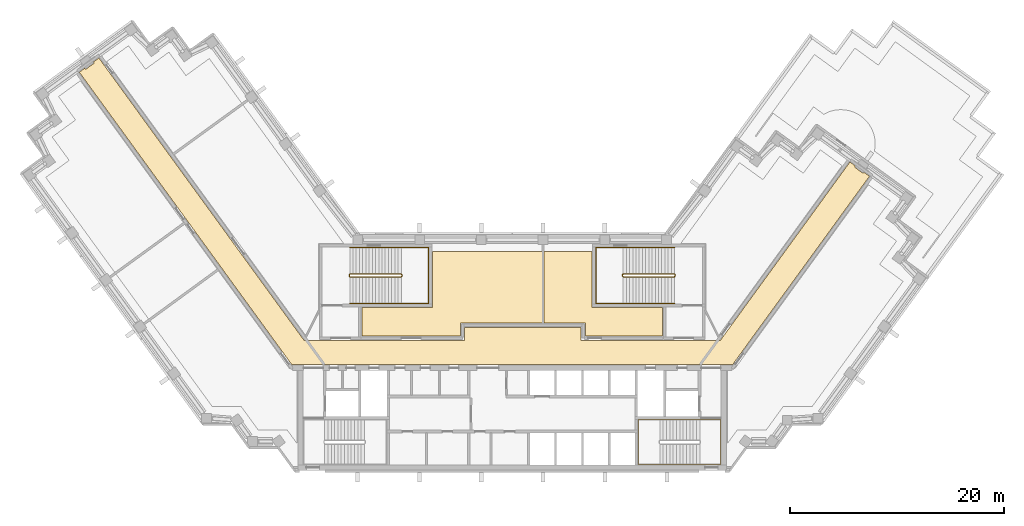
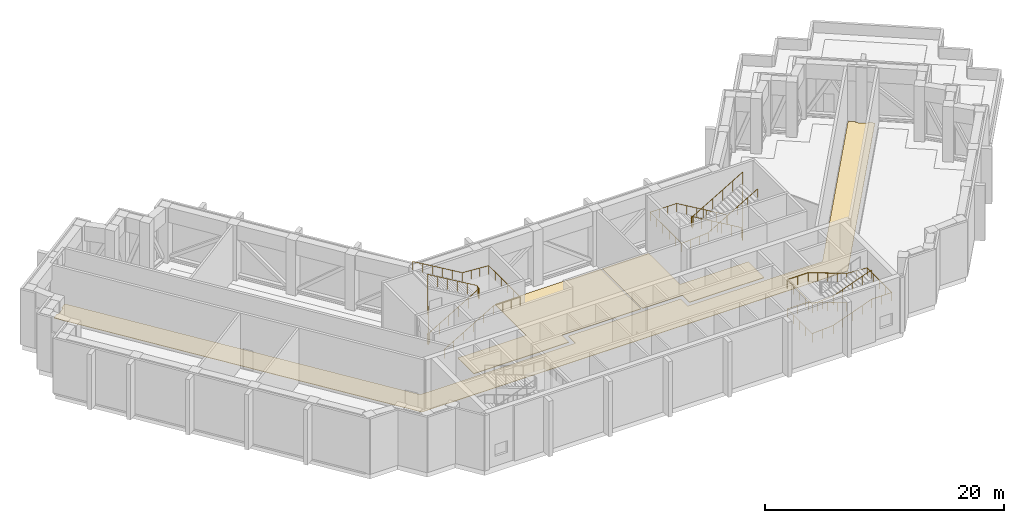
# One storey, part 15 of 16: 5 railings, 3 coverings.
"""IFC4 building model written with IfcOpenShell, lengths in metres."""

from ifc_helpers import new_model, si_unit, direction, frame, origin, origin_2d, place, context, subcontext, project, spatial, polyline, circle, outline, extrude, material, layer, layer_set, type_object, element, save


model = new_model("IFC4")

# Units and contexts
model_context = context("Model", 3, precision=1e-05, world=origin(), true_north=direction((0.0, 1.0)))
body_context = subcontext(model_context, "Body", "Model", "MODEL_VIEW")
ifc_project = project(units=[si_unit("LENGTHUNIT", "METRE"), si_unit("AREAUNIT", "SQUARE_METRE"), si_unit("VOLUMEUNIT", "CUBIC_METRE"), si_unit("PLANEANGLEUNIT", "RADIAN"), si_unit("MASSUNIT", "GRAM", prefix="KILO")], contexts=[model_context])

# Site, building, storey
site_placement = place(None, origin())
site = spatial("IfcSite", under=ifc_project, at=site_placement, CompositionType="ELEMENT")
building_placement = place(site_placement, origin())
building = spatial("IfcBuilding", under=site, at=building_placement, Name="Quipu Civic Tower", CompositionType="ELEMENT")
storey_placement = place(building_placement, frame((0.0, 0.0, 188.0)))
storey = spatial("IfcBuildingStorey", under=building, at=storey_placement, Name="L44", CompositionType="ELEMENT", Elevation=188.0)

# Coverings
ifc_material_1 = material(Name="Sealed cement screed")
ifc_layer_1 = layer(ifc_material_1, 0.050048828125)
ifc_layer_set_1 = layer_set([ifc_layer_1], Name="Sealed cement screed")
covering_type_1 = type_object("IfcCoveringType", Name="Sealed screed floor finish 50", PredefinedType="FLOORING", material=ifc_layer_set_1)
covering_1_placement = place(storey_placement, origin())
element("IfcCovering", 1, at=covering_1_placement, inside=storey, type_object=covering_type_1, Name="Sealed screed floor finish 50", PredefinedType="FLOORING", context=body_context, shape_type="SweptSolid", body=[
    extrude(outline(polyline([(-14.030029296875, 4.179931640625), (-7.430908203125, 4.179931640625), (-7.429931640625, 9.429931640625), (2.80908203125, 9.429931640625), (2.80908203125, 2.719970703125), (-4.818115234375, 2.719970703125), (-4.820068359375, 1.52001953125), (-14.030029296875, 1.52001953125), (-14.030029296875, 4.179931640625)])), origin(), (0.0, 0.0, 1.0), 0.050048828125),
])
covering_2_placement = place(storey_placement, origin())
element("IfcCovering", 2, at=covering_2_placement, inside=storey, type_object=covering_type_1, Name="Sealed screed floor finish 50", PredefinedType="FLOORING", context=body_context, shape_type="SweptSolid", body=[
    extrude(outline(polyline([(2.948974609375, 2.719970703125), (2.948974609375, 9.429931640625), (7.429931640625, 9.429931640625), (7.430908203125, 4.179931640625), (14.030029296875, 4.179931640625), (14.030029296875, 1.52001953125), (6.820068359375, 1.52001953125), (6.819091796875, 2.719970703125), (2.948974609375, 2.719970703125)])), origin(), (0.0, 0.0, 1.0), 0.050048828125),
])

# Railings
ifc_material_2 = material(Name="Stainless steel", Category="steel")
railing_type_1 = type_object("IfcRailingType", Name="Stair guard 1100", PredefinedType="GUARDRAIL", material=ifc_material_2)
railing_1_placement = place(storey_placement, frame((-15.14990234375, 7.050048828125, 0.176513671875)))
element("IfcRailing", 3, at=railing_1_placement, inside=storey, type_object=railing_type_1, Name="Stair 3 guard", PredefinedType="GUARDRAIL", context=body_context, shape_type="SweptSolid", body=[
    extrude(circle(Radius=0.02392578125, at=origin_2d()), frame((0.0, 0.0, 1.076171875), z_axis=(0.86192857992, 0.0, 0.507029706346), x_axis=(0.0, 1.0, 0.0)), (0.0, 0.0, 1.0), 5.568603515625),
    extrude(circle(Radius=0.02392578125, at=origin_2d()), frame((4.7998046875, 0.0, 3.8994140625), z_axis=(0.707106781187, 0.707106781187, 0.0), x_axis=(-0.707106781187, 0.707106781187, 0.0)), (0.0, 0.0, 1.0), 0.07080078125),
    extrude(circle(Radius=0.02392578125, at=origin_2d()), frame((4.849853515625, 0.050048828125, 3.8994140625), z_axis=(0.0, 1.0, 0.0), x_axis=(-1.0, 0.0, 0.0)), (0.0, 0.0, 1.0), 0.14990234375),
    extrude(circle(Radius=0.02392578125, at=origin_2d()), frame((4.849853515625, 0.199951171875, 3.8994140625), z_axis=(-0.263171338983, 0.263171338983, 0.928160380902), x_axis=(-0.707106781187, -0.707106781187, 0.0)), (0.0, 0.0, 1.0), 0.190185546875),
    extrude(circle(Radius=0.02392578125, at=origin_2d()), frame((4.7998046875, 0.25, 4.076171875), z_axis=(-0.86192857992, 0.0, 0.507029706346), x_axis=(0.0, -1.0, 0.0)), (0.0, 0.0, 1.0), 5.568603515625),
    extrude(circle(Radius=0.02392578125, at=origin_2d()), frame((0.0, 0.25, 6.8994140625), z_axis=(-0.008336553618, -0.033305548356, -0.999410447375), x_axis=(0.970072785993, -0.242814311512, 0.0)), (0.0, 0.0, 1.0), 6.00341796875),
    extrude(circle(Radius=0.02392578125, at=origin_2d()), frame((-0.050048828125, 0.050048828125, 0.8994140625), z_axis=(0.0, 1.0, 0.0), x_axis=(-1.0, 0.0, 0.0)), (0.0, 0.0, 1.0), 0.14990234375),
    extrude(circle(Radius=0.02099609375, at=origin_2d()), origin(), (0.0, 0.0, 1.0), 1.052001953125),
    extrude(circle(Radius=0.02099609375, at=origin_2d()), frame((0.9599609375, 0.0, 0.564697265625)), (0.0, 0.0, 1.0), 1.052001953125),
    extrude(circle(Radius=0.02099609375, at=origin_2d()), frame((1.919921875, 0.0, 1.12939453125)), (0.0, 0.0, 1.0), 1.052001953125),
    extrude(circle(Radius=0.02099609375, at=origin_2d()), frame((2.8798828125, 0.0, 1.694091796875)), (0.0, 0.0, 1.0), 1.052001953125),
    extrude(circle(Radius=0.02099609375, at=origin_2d()), frame((3.83984375, 0.0, 2.2587890625)), (0.0, 0.0, 1.0), 1.052001953125),
    extrude(circle(Radius=0.02099609375, at=origin_2d()), frame((4.7998046875, 0.0, 2.823486328125)), (0.0, 0.0, 1.0), 1.052001953125),
    extrude(circle(Radius=0.02099609375, at=origin_2d()), frame((4.849853515625, 0.050048828125, 2.823486328125)), (0.0, 0.0, 1.0), 1.052001953125),
    extrude(circle(Radius=0.02099609375, at=origin_2d()), frame((4.849853515625, 0.199951171875, 2.823486328125)), (0.0, 0.0, 1.0), 1.052001953125),
    extrude(circle(Radius=0.02099609375, at=origin_2d()), frame((4.7998046875, 0.25, 3.0)), (0.0, 0.0, 1.0), 1.052001953125),
    extrude(circle(Radius=0.02099609375, at=origin_2d()), frame((3.83984375, 0.25, 3.564697265625)), (0.0, 0.0, 1.0), 1.052001953125),
    extrude(circle(Radius=0.02099609375, at=origin_2d()), frame((2.8798828125, 0.25, 4.12939453125)), (0.0, 0.0, 1.0), 1.052001953125),
    extrude(circle(Radius=0.02099609375, at=origin_2d()), frame((1.919921875, 0.25, 4.694091796875)), (0.0, 0.0, 1.0), 1.052001953125),
    extrude(circle(Radius=0.02099609375, at=origin_2d()), frame((0.9599609375, 0.25, 5.2587890625)), (0.0, 0.0, 1.0), 1.052001953125),
    extrude(circle(Radius=0.02099609375, at=origin_2d()), frame((0.0, 0.25, 5.823486328125)), (0.0, 0.0, 1.0), 1.052001953125),
    extrude(circle(Radius=0.02099609375, at=origin_2d()), frame((-0.00830078125, 0.216796875, 4.823486328125)), (0.0, 0.0, 1.0), 1.052001953125),
    extrude(circle(Radius=0.02099609375, at=origin_2d()), frame((-0.0166015625, 0.183349609375, 3.823486328125)), (0.0, 0.0, 1.0), 1.052001953125),
    extrude(circle(Radius=0.02099609375, at=origin_2d()), frame((-0.02490234375, 0.14990234375, 2.823486328125)), (0.0, 0.0, 1.0), 1.052001953125),
    extrude(circle(Radius=0.02099609375, at=origin_2d()), frame((-0.033447265625, 0.11669921875, 1.823486328125)), (0.0, 0.0, 1.0), 1.052001953125),
    extrude(circle(Radius=0.02099609375, at=origin_2d()), frame((-0.041748046875, 0.08349609375, 0.823486328125)), (0.0, 0.0, 1.0), 1.052001953125),
    extrude(circle(Radius=0.02099609375, at=origin_2d()), frame((-0.050048828125, 0.050048828125, -0.176513671875)), (0.0, 0.0, 1.0), 1.052001953125),
    extrude(circle(Radius=0.02099609375, at=origin_2d()), frame((-0.050048828125, 0.199951171875, -0.176513671875)), (0.0, 0.0, 1.0), 1.052001953125),
])
railing_2_placement = place(storey_placement, frame((15.14990234375, 7.300048828125, 0.176513671875)))
element("IfcRailing", 4, at=railing_2_placement, inside=storey, type_object=railing_type_1, Name="Stair 4 guard", PredefinedType="GUARDRAIL", context=body_context, shape_type="SweptSolid", body=[
    extrude(circle(Radius=0.02392578125, at=origin_2d()), frame((0.0, 0.0, 1.076171875), z_axis=(-0.86192857992, 0.0, 0.507029706346), x_axis=(0.0, -1.0, 0.0)), (0.0, 0.0, 1.0), 5.568603515625),
    extrude(circle(Radius=0.02392578125, at=origin_2d()), frame((-4.7998046875, 0.0, 3.8994140625), z_axis=(-0.707106781187, -0.707106781187, 0.0), x_axis=(0.707106781187, -0.707106781187, 0.0)), (0.0, 0.0, 1.0), 0.07080078125),
    extrude(circle(Radius=0.02392578125, at=origin_2d()), frame((-4.849853515625, -0.050048828125, 3.8994140625), z_axis=(0.0, -1.0, 0.0), x_axis=(1.0, 0.0, 0.0)), (0.0, 0.0, 1.0), 0.14990234375),
    extrude(circle(Radius=0.02392578125, at=origin_2d()), frame((-4.849853515625, -0.199951171875, 3.8994140625), z_axis=(0.263171338983, -0.263171338983, 0.928160380902), x_axis=(0.707106781187, 0.707106781187, 0.0)), (0.0, 0.0, 1.0), 0.190185546875),
    extrude(circle(Radius=0.02392578125, at=origin_2d()), frame((-4.7998046875, -0.25, 4.076171875), z_axis=(0.86192857992, 0.0, 0.507029706346), x_axis=(0.0, 1.0, 0.0)), (0.0, 0.0, 1.0), 5.568603515625),
    extrude(circle(Radius=0.02392578125, at=origin_2d()), frame((0.0, -0.25, 6.8994140625), z_axis=(0.008336553618, 0.033305548356, -0.999410447375), x_axis=(-0.970072785993, 0.242814311512, 0.0)), (0.0, 0.0, 1.0), 6.00341796875),
    extrude(circle(Radius=0.02392578125, at=origin_2d()), frame((0.050048828125, -0.050048828125, 0.8994140625), z_axis=(0.0, -1.0, 0.0), x_axis=(1.0, 0.0, 0.0)), (0.0, 0.0, 1.0), 0.14990234375),
    extrude(circle(Radius=0.02099609375, at=origin_2d()), origin(), (0.0, 0.0, 1.0), 1.052001953125),
    extrude(circle(Radius=0.02099609375, at=origin_2d()), frame((-0.9599609375, 0.0, 0.564697265625)), (0.0, 0.0, 1.0), 1.052001953125),
    extrude(circle(Radius=0.02099609375, at=origin_2d()), frame((-1.919921875, 0.0, 1.12939453125)), (0.0, 0.0, 1.0), 1.052001953125),
    extrude(circle(Radius=0.02099609375, at=origin_2d()), frame((-2.8798828125, 0.0, 1.694091796875)), (0.0, 0.0, 1.0), 1.052001953125),
    extrude(circle(Radius=0.02099609375, at=origin_2d()), frame((-3.83984375, 0.0, 2.2587890625)), (0.0, 0.0, 1.0), 1.052001953125),
    extrude(circle(Radius=0.02099609375, at=origin_2d()), frame((-4.7998046875, 0.0, 2.823486328125)), (0.0, 0.0, 1.0), 1.052001953125),
    extrude(circle(Radius=0.02099609375, at=origin_2d()), frame((-4.849853515625, -0.050048828125, 2.823486328125)), (0.0, 0.0, 1.0), 1.052001953125),
    extrude(circle(Radius=0.02099609375, at=origin_2d()), frame((-4.849853515625, -0.199951171875, 2.823486328125)), (0.0, 0.0, 1.0), 1.052001953125),
    extrude(circle(Radius=0.02099609375, at=origin_2d()), frame((-4.7998046875, -0.25, 3.0)), (0.0, 0.0, 1.0), 1.052001953125),
    extrude(circle(Radius=0.02099609375, at=origin_2d()), frame((-3.83984375, -0.25, 3.564697265625)), (0.0, 0.0, 1.0), 1.052001953125),
    extrude(circle(Radius=0.02099609375, at=origin_2d()), frame((-2.8798828125, -0.25, 4.12939453125)), (0.0, 0.0, 1.0), 1.052001953125),
    extrude(circle(Radius=0.02099609375, at=origin_2d()), frame((-1.919921875, -0.25, 4.694091796875)), (0.0, 0.0, 1.0), 1.052001953125),
    extrude(circle(Radius=0.02099609375, at=origin_2d()), frame((-0.9599609375, -0.25, 5.2587890625)), (0.0, 0.0, 1.0), 1.052001953125),
    extrude(circle(Radius=0.02099609375, at=origin_2d()), frame((0.0, -0.25, 5.823486328125)), (0.0, 0.0, 1.0), 1.052001953125),
    extrude(circle(Radius=0.02099609375, at=origin_2d()), frame((0.00830078125, -0.216796875, 4.823486328125)), (0.0, 0.0, 1.0), 1.052001953125),
    extrude(circle(Radius=0.02099609375, at=origin_2d()), frame((0.0166015625, -0.183349609375, 3.823486328125)), (0.0, 0.0, 1.0), 1.052001953125),
    extrude(circle(Radius=0.02099609375, at=origin_2d()), frame((0.02490234375, -0.14990234375, 2.823486328125)), (0.0, 0.0, 1.0), 1.052001953125),
    extrude(circle(Radius=0.02099609375, at=origin_2d()), frame((0.033447265625, -0.11669921875, 1.823486328125)), (0.0, 0.0, 1.0), 1.052001953125),
    extrude(circle(Radius=0.02099609375, at=origin_2d()), frame((0.041748046875, -0.08349609375, 0.823486328125)), (0.0, 0.0, 1.0), 1.052001953125),
    extrude(circle(Radius=0.02099609375, at=origin_2d()), frame((0.050048828125, -0.050048828125, -0.176513671875)), (0.0, 0.0, 1.0), 1.052001953125),
    extrude(circle(Radius=0.02099609375, at=origin_2d()), frame((0.050048828125, -0.199951171875, -0.176513671875)), (0.0, 0.0, 1.0), 1.052001953125),
])
ifc_material_3 = material(Name="Stainless steel", Category="steel")
railing_type_2 = type_object("IfcRailingType", Name="Stair handrail", PredefinedType="HANDRAIL", material=ifc_material_3)
railing_3_placement = place(storey_placement, frame((17.5, -6.300048828125, 0.115478515625)))
element("IfcRailing", 5, at=railing_3_placement, inside=storey, type_object=railing_type_2, Name="Stair 2 handrail", PredefinedType="HANDRAIL", context=body_context, shape_type="SweptSolid", body=[
    extrude(circle(Radius=0.02392578125, at=origin_2d()), frame((0.0, 0.0, 0.8759765625), z_axis=(-0.937193329374, 0.0, 0.348810354458), x_axis=(0.0, -1.0, 0.0)), (0.0, 0.0, 1.0), 3.96923828125),
    extrude(circle(Radius=0.02392578125, at=origin_2d()), frame((-3.719970703125, 0.0, 2.26025390625), z_axis=(-1.0, 0.0, 0.0), x_axis=(0.0, -1.0, 0.0)), (0.0, 0.0, 1.0), 2.030029296875),
    extrude(circle(Radius=0.02392578125, at=origin_2d()), frame((-5.75, 0.0, 2.26025390625), z_axis=(0.0, -1.0, 0.0), x_axis=(1.0, 0.0, 0.0)), (0.0, 0.0, 1.0), 4.14990234375),
    extrude(circle(Radius=0.02392578125, at=origin_2d()), frame((-5.75, -4.14990234375, 2.26025390625), z_axis=(0.99838595614, 0.0, 0.056793332201), x_axis=(0.0, 1.0, 0.0)), (0.0, 0.0, 1.0), 2.033203125),
    extrude(circle(Radius=0.02392578125, at=origin_2d()), frame((-3.719970703125, -4.14990234375, 2.3759765625), z_axis=(0.937193329374, 0.0, 0.348810354458), x_axis=(0.0, 1.0, 0.0)), (0.0, 0.0, 1.0), 3.96923828125),
    extrude(circle(Radius=0.02392578125, at=origin_2d()), frame((0.0, -4.14990234375, 3.76025390625), z_axis=(1.0, 0.0, 0.0), x_axis=(0.0, 1.0, 0.0)), (0.0, 0.0, 1.0), 1.949951171875),
    extrude(circle(Radius=0.02392578125, at=origin_2d()), frame((1.949951171875, -4.14990234375, 3.76025390625), z_axis=(0.0, 1.0, 0.0), x_axis=(-1.0, 0.0, 0.0)), (0.0, 0.0, 1.0), 4.14990234375),
    extrude(circle(Radius=0.02392578125, at=origin_2d()), frame((1.949951171875, 0.0, 3.76025390625), z_axis=(-0.998251021802, 0.0, 0.059117657858), x_axis=(0.0, -1.0, 0.0)), (0.0, 0.0, 1.0), 1.953369140625),
    extrude(circle(Radius=0.02392578125, at=origin_2d()), frame((0.0, 0.0, 3.8759765625), z_axis=(-0.937193329374, 0.0, 0.348810354458), x_axis=(0.0, -1.0, 0.0)), (0.0, 0.0, 1.0), 3.96923828125),
    extrude(circle(Radius=0.02392578125, at=origin_2d()), frame((-3.719970703125, 0.0, 5.26025390625), z_axis=(-1.0, 0.0, 0.0), x_axis=(0.0, -1.0, 0.0)), (0.0, 0.0, 1.0), 2.030029296875),
    extrude(circle(Radius=0.02392578125, at=origin_2d()), frame((-5.75, 0.0, 5.26025390625), z_axis=(0.0, -1.0, 0.0), x_axis=(1.0, 0.0, 0.0)), (0.0, 0.0, 1.0), 4.14990234375),
    extrude(circle(Radius=0.02392578125, at=origin_2d()), frame((-5.75, -4.14990234375, 5.26025390625), z_axis=(0.99838595614, 0.0, 0.056793332201), x_axis=(0.0, 1.0, 0.0)), (0.0, 0.0, 1.0), 2.033203125),
    extrude(circle(Radius=0.02392578125, at=origin_2d()), frame((-3.719970703125, -4.14990234375, 5.3759765625), z_axis=(0.937193329374, 0.0, 0.348810354458), x_axis=(0.0, 1.0, 0.0)), (0.0, 0.0, 1.0), 3.96923828125),
    extrude(circle(Radius=0.02099609375, at=origin_2d()), origin(), (0.0, 0.0, 1.0), 0.851806640625),
    extrude(circle(Radius=0.02099609375, at=origin_2d()), frame((-0.929931640625, 0.0, 0.34619140625)), (0.0, 0.0, 1.0), 0.851806640625),
    extrude(circle(Radius=0.02099609375, at=origin_2d()), frame((-1.85986328125, 0.0, 0.6923828125)), (0.0, 0.0, 1.0), 0.851806640625),
    extrude(circle(Radius=0.02099609375, at=origin_2d()), frame((-2.7900390625, 0.0, 1.038330078125)), (0.0, 0.0, 1.0), 0.851806640625),
    extrude(circle(Radius=0.02099609375, at=origin_2d()), frame((-3.719970703125, 0.0, 1.384521484375)), (0.0, 0.0, 1.0), 0.851806640625),
    extrude(circle(Radius=0.02099609375, at=origin_2d()), frame((-4.73486328125, 0.0, 1.384521484375)), (0.0, 0.0, 1.0), 0.851806640625),
    extrude(circle(Radius=0.02099609375, at=origin_2d()), frame((-5.75, 0.0, 1.384521484375)), (0.0, 0.0, 1.0), 0.851806640625),
    extrude(circle(Radius=0.02099609375, at=origin_2d()), frame((-5.75, -1.03759765625, 1.384521484375)), (0.0, 0.0, 1.0), 0.851806640625),
    extrude(circle(Radius=0.02099609375, at=origin_2d()), frame((-5.75, -2.074951171875, 1.384521484375)), (0.0, 0.0, 1.0), 0.851806640625),
    extrude(circle(Radius=0.02099609375, at=origin_2d()), frame((-5.75, -3.1123046875, 1.384521484375)), (0.0, 0.0, 1.0), 0.851806640625),
    extrude(circle(Radius=0.02099609375, at=origin_2d()), frame((-5.75, -4.14990234375, 1.384521484375)), (0.0, 0.0, 1.0), 0.851806640625),
    extrude(circle(Radius=0.02099609375, at=origin_2d()), frame((-4.73486328125, -4.14990234375, 1.4423828125)), (0.0, 0.0, 1.0), 0.851806640625),
    extrude(circle(Radius=0.02099609375, at=origin_2d()), frame((-3.719970703125, -4.14990234375, 1.5)), (0.0, 0.0, 1.0), 0.851806640625),
    extrude(circle(Radius=0.02099609375, at=origin_2d()), frame((-2.7900390625, -4.14990234375, 1.84619140625)), (0.0, 0.0, 1.0), 0.851806640625),
    extrude(circle(Radius=0.02099609375, at=origin_2d()), frame((-1.85986328125, -4.14990234375, 2.1923828125)), (0.0, 0.0, 1.0), 0.851806640625),
    extrude(circle(Radius=0.02099609375, at=origin_2d()), frame((-0.929931640625, -4.14990234375, 2.538330078125)), (0.0, 0.0, 1.0), 0.851806640625),
    extrude(circle(Radius=0.02099609375, at=origin_2d()), frame((0.0, -4.14990234375, 2.884521484375)), (0.0, 0.0, 1.0), 0.851806640625),
    extrude(circle(Radius=0.02099609375, at=origin_2d()), frame((0.97509765625, -4.14990234375, 2.884521484375)), (0.0, 0.0, 1.0), 0.851806640625),
    extrude(circle(Radius=0.02099609375, at=origin_2d()), frame((1.949951171875, -4.14990234375, 2.884521484375)), (0.0, 0.0, 1.0), 0.851806640625),
    extrude(circle(Radius=0.02099609375, at=origin_2d()), frame((1.949951171875, -3.1123046875, 2.884521484375)), (0.0, 0.0, 1.0), 0.851806640625),
    extrude(circle(Radius=0.02099609375, at=origin_2d()), frame((1.949951171875, -2.074951171875, 2.884521484375)), (0.0, 0.0, 1.0), 0.851806640625),
    extrude(circle(Radius=0.02099609375, at=origin_2d()), frame((1.949951171875, -1.03759765625, 2.884521484375)), (0.0, 0.0, 1.0), 0.851806640625),
    extrude(circle(Radius=0.02099609375, at=origin_2d()), frame((1.949951171875, 0.0, 2.884521484375)), (0.0, 0.0, 1.0), 0.851806640625),
    extrude(circle(Radius=0.02099609375, at=origin_2d()), frame((0.97509765625, 0.0, 2.9423828125)), (0.0, 0.0, 1.0), 0.851806640625),
    extrude(circle(Radius=0.02099609375, at=origin_2d()), frame((0.0, 0.0, 3.0)), (0.0, 0.0, 1.0), 0.851806640625),
    extrude(circle(Radius=0.02099609375, at=origin_2d()), frame((-0.929931640625, 0.0, 3.34619140625)), (0.0, 0.0, 1.0), 0.851806640625),
    extrude(circle(Radius=0.02099609375, at=origin_2d()), frame((-1.85986328125, 0.0, 3.6923828125)), (0.0, 0.0, 1.0), 0.851806640625),
    extrude(circle(Radius=0.02099609375, at=origin_2d()), frame((-2.7900390625, 0.0, 4.038330078125)), (0.0, 0.0, 1.0), 0.851806640625),
    extrude(circle(Radius=0.02099609375, at=origin_2d()), frame((-3.719970703125, 0.0, 4.384521484375)), (0.0, 0.0, 1.0), 0.851806640625),
    extrude(circle(Radius=0.02099609375, at=origin_2d()), frame((-4.73486328125, 0.0, 4.384521484375)), (0.0, 0.0, 1.0), 0.851806640625),
    extrude(circle(Radius=0.02099609375, at=origin_2d()), frame((-5.75, 0.0, 4.384521484375)), (0.0, 0.0, 1.0), 0.851806640625),
    extrude(circle(Radius=0.02099609375, at=origin_2d()), frame((-5.75, -1.03759765625, 4.384521484375)), (0.0, 0.0, 1.0), 0.851806640625),
    extrude(circle(Radius=0.02099609375, at=origin_2d()), frame((-5.75, -2.074951171875, 4.384521484375)), (0.0, 0.0, 1.0), 0.851806640625),
    extrude(circle(Radius=0.02099609375, at=origin_2d()), frame((-5.75, -3.1123046875, 4.384521484375)), (0.0, 0.0, 1.0), 0.851806640625),
    extrude(circle(Radius=0.02099609375, at=origin_2d()), frame((-5.75, -4.14990234375, 4.384521484375)), (0.0, 0.0, 1.0), 0.851806640625),
    extrude(circle(Radius=0.02099609375, at=origin_2d()), frame((-4.73486328125, -4.14990234375, 4.4423828125)), (0.0, 0.0, 1.0), 0.851806640625),
    extrude(circle(Radius=0.02099609375, at=origin_2d()), frame((-3.719970703125, -4.14990234375, 4.5)), (0.0, 0.0, 1.0), 0.851806640625),
    extrude(circle(Radius=0.02099609375, at=origin_2d()), frame((-2.7900390625, -4.14990234375, 4.84619140625)), (0.0, 0.0, 1.0), 0.851806640625),
    extrude(circle(Radius=0.02099609375, at=origin_2d()), frame((-1.85986328125, -4.14990234375, 5.1923828125)), (0.0, 0.0, 1.0), 0.851806640625),
    extrude(circle(Radius=0.02099609375, at=origin_2d()), frame((-0.929931640625, -4.14990234375, 5.538330078125)), (0.0, 0.0, 1.0), 0.851806640625),
    extrude(circle(Radius=0.02099609375, at=origin_2d()), frame((0.0, -4.14990234375, 5.884521484375)), (0.0, 0.0, 1.0), 0.851806640625),
])
railing_4_placement = place(storey_placement, frame((-15.14990234375, 4.550048828125, 0.176513671875)))
element("IfcRailing", 6, at=railing_4_placement, inside=storey, type_object=railing_type_2, Name="Stair 3 handrail", PredefinedType="HANDRAIL", context=body_context, shape_type="SweptSolid", body=[
    extrude(circle(Radius=0.02392578125, at=origin_2d()), frame((0.0, 0.0, 0.8759765625), z_axis=(0.86192857992, 0.0, 0.507029706346), x_axis=(0.0, 1.0, 0.0)), (0.0, 0.0, 1.0), 5.568603515625),
    extrude(circle(Radius=0.02392578125, at=origin_2d()), frame((4.7998046875, 0.0, 3.69921875), z_axis=(1.0, 0.0, 0.0), x_axis=(0.0, 1.0, 0.0)), (0.0, 0.0, 1.0), 2.550048828125),
    extrude(circle(Radius=0.02392578125, at=origin_2d()), frame((7.349853515625, 0.0, 3.69921875), z_axis=(0.0, 1.0, 0.0), x_axis=(-1.0, 0.0, 0.0)), (0.0, 0.0, 1.0), 5.25),
    extrude(circle(Radius=0.02392578125, at=origin_2d()), frame((7.349853515625, 5.25, 3.69921875), z_axis=(-0.997612889748, 0.0, 0.069054487246), x_axis=(0.0, -1.0, 0.0)), (0.0, 0.0, 1.0), 2.55615234375),
    extrude(circle(Radius=0.02392578125, at=origin_2d()), frame((4.7998046875, 5.25, 3.8759765625), z_axis=(-0.86192857992, 0.0, 0.507029706346), x_axis=(0.0, -1.0, 0.0)), (0.0, 0.0, 1.0), 5.568603515625),
    extrude(circle(Radius=0.02099609375, at=origin_2d()), origin(), (0.0, 0.0, 1.0), 0.851806640625),
    extrude(circle(Radius=0.02099609375, at=origin_2d()), frame((0.9599609375, 0.0, 0.564697265625)), (0.0, 0.0, 1.0), 0.851806640625),
    extrude(circle(Radius=0.02099609375, at=origin_2d()), frame((1.919921875, 0.0, 1.12939453125)), (0.0, 0.0, 1.0), 0.851806640625),
    extrude(circle(Radius=0.02099609375, at=origin_2d()), frame((2.8798828125, 0.0, 1.694091796875)), (0.0, 0.0, 1.0), 0.851806640625),
    extrude(circle(Radius=0.02099609375, at=origin_2d()), frame((3.83984375, 0.0, 2.2587890625)), (0.0, 0.0, 1.0), 0.851806640625),
    extrude(circle(Radius=0.02099609375, at=origin_2d()), frame((4.7998046875, 0.0, 2.823486328125)), (0.0, 0.0, 1.0), 0.851806640625),
    extrude(circle(Radius=0.02099609375, at=origin_2d()), frame((5.64990234375, 0.0, 2.823486328125)), (0.0, 0.0, 1.0), 0.851806640625),
    extrude(circle(Radius=0.02099609375, at=origin_2d()), frame((6.499755859375, 0.0, 2.823486328125)), (0.0, 0.0, 1.0), 0.851806640625),
    extrude(circle(Radius=0.02099609375, at=origin_2d()), frame((7.349853515625, 0.0, 2.823486328125)), (0.0, 0.0, 1.0), 0.851806640625),
    extrude(circle(Radius=0.02099609375, at=origin_2d()), frame((7.349853515625, 1.050048828125, 2.823486328125)), (0.0, 0.0, 1.0), 0.851806640625),
    extrude(circle(Radius=0.02099609375, at=origin_2d()), frame((7.349853515625, 2.10009765625, 2.823486328125)), (0.0, 0.0, 1.0), 0.851806640625),
    extrude(circle(Radius=0.02099609375, at=origin_2d()), frame((7.349853515625, 3.14990234375, 2.823486328125)), (0.0, 0.0, 1.0), 0.851806640625),
    extrude(circle(Radius=0.02099609375, at=origin_2d()), frame((7.349853515625, 4.199951171875, 2.823486328125)), (0.0, 0.0, 1.0), 0.851806640625),
    extrude(circle(Radius=0.02099609375, at=origin_2d()), frame((7.349853515625, 5.25, 2.823486328125)), (0.0, 0.0, 1.0), 0.851806640625),
    extrude(circle(Radius=0.02099609375, at=origin_2d()), frame((6.499755859375, 5.25, 2.88232421875)), (0.0, 0.0, 1.0), 0.851806640625),
    extrude(circle(Radius=0.02099609375, at=origin_2d()), frame((5.64990234375, 5.25, 2.941162109375)), (0.0, 0.0, 1.0), 0.851806640625),
    extrude(circle(Radius=0.02099609375, at=origin_2d()), frame((4.7998046875, 5.25, 3.0)), (0.0, 0.0, 1.0), 0.851806640625),
    extrude(circle(Radius=0.02099609375, at=origin_2d()), frame((3.83984375, 5.25, 3.564697265625)), (0.0, 0.0, 1.0), 0.851806640625),
    extrude(circle(Radius=0.02099609375, at=origin_2d()), frame((2.8798828125, 5.25, 4.12939453125)), (0.0, 0.0, 1.0), 0.851806640625),
    extrude(circle(Radius=0.02099609375, at=origin_2d()), frame((1.919921875, 5.25, 4.694091796875)), (0.0, 0.0, 1.0), 0.851806640625),
    extrude(circle(Radius=0.02099609375, at=origin_2d()), frame((0.9599609375, 5.25, 5.2587890625)), (0.0, 0.0, 1.0), 0.851806640625),
    extrude(circle(Radius=0.02099609375, at=origin_2d()), frame((0.0, 5.25, 5.823486328125)), (0.0, 0.0, 1.0), 0.851806640625),
])
railing_5_placement = place(storey_placement, frame((15.14990234375, 9.800048828125, 0.176513671875)))
element("IfcRailing", 7, at=railing_5_placement, inside=storey, type_object=railing_type_2, Name="Stair 4 handrail", PredefinedType="HANDRAIL", context=body_context, shape_type="SweptSolid", body=[
    extrude(circle(Radius=0.02392578125, at=origin_2d()), frame((0.0, 0.0, 0.8759765625), z_axis=(-0.86192857992, 0.0, 0.507029706346), x_axis=(0.0, -1.0, 0.0)), (0.0, 0.0, 1.0), 5.568603515625),
    extrude(circle(Radius=0.02392578125, at=origin_2d()), frame((-4.7998046875, 0.0, 3.69921875), z_axis=(-1.0, 0.0, 0.0), x_axis=(0.0, -1.0, 0.0)), (0.0, 0.0, 1.0), 2.550048828125),
    extrude(circle(Radius=0.02392578125, at=origin_2d()), frame((-7.349853515625, 0.0, 3.69921875), z_axis=(0.0, -1.0, 0.0), x_axis=(1.0, 0.0, 0.0)), (0.0, 0.0, 1.0), 5.25),
    extrude(circle(Radius=0.02392578125, at=origin_2d()), frame((-7.349853515625, -5.25, 3.69921875), z_axis=(0.997612889748, 0.0, 0.069054487246), x_axis=(0.0, 1.0, 0.0)), (0.0, 0.0, 1.0), 2.55615234375),
    extrude(circle(Radius=0.02392578125, at=origin_2d()), frame((-4.7998046875, -5.25, 3.8759765625), z_axis=(0.86192857992, 0.0, 0.507029706346), x_axis=(0.0, 1.0, 0.0)), (0.0, 0.0, 1.0), 5.568603515625),
    extrude(circle(Radius=0.02099609375, at=origin_2d()), origin(), (0.0, 0.0, 1.0), 0.851806640625),
    extrude(circle(Radius=0.02099609375, at=origin_2d()), frame((-0.9599609375, 0.0, 0.564697265625)), (0.0, 0.0, 1.0), 0.851806640625),
    extrude(circle(Radius=0.02099609375, at=origin_2d()), frame((-1.919921875, 0.0, 1.12939453125)), (0.0, 0.0, 1.0), 0.851806640625),
    extrude(circle(Radius=0.02099609375, at=origin_2d()), frame((-2.8798828125, 0.0, 1.694091796875)), (0.0, 0.0, 1.0), 0.851806640625),
    extrude(circle(Radius=0.02099609375, at=origin_2d()), frame((-3.83984375, 0.0, 2.2587890625)), (0.0, 0.0, 1.0), 0.851806640625),
    extrude(circle(Radius=0.02099609375, at=origin_2d()), frame((-4.7998046875, 0.0, 2.823486328125)), (0.0, 0.0, 1.0), 0.851806640625),
    extrude(circle(Radius=0.02099609375, at=origin_2d()), frame((-5.64990234375, 0.0, 2.823486328125)), (0.0, 0.0, 1.0), 0.851806640625),
    extrude(circle(Radius=0.02099609375, at=origin_2d()), frame((-6.499755859375, 0.0, 2.823486328125)), (0.0, 0.0, 1.0), 0.851806640625),
    extrude(circle(Radius=0.02099609375, at=origin_2d()), frame((-7.349853515625, 0.0, 2.823486328125)), (0.0, 0.0, 1.0), 0.851806640625),
    extrude(circle(Radius=0.02099609375, at=origin_2d()), frame((-7.349853515625, -1.050048828125, 2.823486328125)), (0.0, 0.0, 1.0), 0.851806640625),
    extrude(circle(Radius=0.02099609375, at=origin_2d()), frame((-7.349853515625, -2.10009765625, 2.823486328125)), (0.0, 0.0, 1.0), 0.851806640625),
    extrude(circle(Radius=0.02099609375, at=origin_2d()), frame((-7.349853515625, -3.14990234375, 2.823486328125)), (0.0, 0.0, 1.0), 0.851806640625),
    extrude(circle(Radius=0.02099609375, at=origin_2d()), frame((-7.349853515625, -4.199951171875, 2.823486328125)), (0.0, 0.0, 1.0), 0.851806640625),
    extrude(circle(Radius=0.02099609375, at=origin_2d()), frame((-7.349853515625, -5.25, 2.823486328125)), (0.0, 0.0, 1.0), 0.851806640625),
    extrude(circle(Radius=0.02099609375, at=origin_2d()), frame((-6.499755859375, -5.25, 2.88232421875)), (0.0, 0.0, 1.0), 0.851806640625),
    extrude(circle(Radius=0.02099609375, at=origin_2d()), frame((-5.64990234375, -5.25, 2.941162109375)), (0.0, 0.0, 1.0), 0.851806640625),
    extrude(circle(Radius=0.02099609375, at=origin_2d()), frame((-4.7998046875, -5.25, 3.0)), (0.0, 0.0, 1.0), 0.851806640625),
    extrude(circle(Radius=0.02099609375, at=origin_2d()), frame((-3.83984375, -5.25, 3.564697265625)), (0.0, 0.0, 1.0), 0.851806640625),
    extrude(circle(Radius=0.02099609375, at=origin_2d()), frame((-2.8798828125, -5.25, 4.12939453125)), (0.0, 0.0, 1.0), 0.851806640625),
    extrude(circle(Radius=0.02099609375, at=origin_2d()), frame((-1.919921875, -5.25, 4.694091796875)), (0.0, 0.0, 1.0), 0.851806640625),
    extrude(circle(Radius=0.02099609375, at=origin_2d()), frame((-0.9599609375, -5.25, 5.2587890625)), (0.0, 0.0, 1.0), 0.851806640625),
    extrude(circle(Radius=0.02099609375, at=origin_2d()), frame((0.0, -5.25, 5.823486328125)), (0.0, 0.0, 1.0), 0.851806640625),
])

# Covering
ifc_material_4 = material(Name="Terrazzo floor finish")
ifc_layer_2 = layer(ifc_material_4, 0.0400390625)
ifc_layer_set_2 = layer_set([ifc_layer_2], Name="Terrazzo floor finish")
covering_type_2 = type_object("IfcCoveringType", Name="Terrazzo floor finish 40", PredefinedType="FLOORING", material=ifc_layer_set_2)
covering_3_placement = place(storey_placement, origin())
element("IfcCovering", 8, at=covering_3_placement, inside=storey, type_object=covering_type_2, Name="Terrazzo floor finish 40", PredefinedType="FLOORING", context=body_context, shape_type="SweptSolid", body=[
    extrude(outline(polyline([(6.429931640625, 2.330078125), (6.429931640625, 1.1298828125), (19.425048828125, 1.1298828125), (31.5048828125, 17.759033203125), (32.01611328125, 17.388916015625), (31.968017578125, 17.322998046875), (31.965087890625, 17.319091796875), (31.962890625, 17.31396484375), (31.9609375, 17.31005859375), (31.9599609375, 17.304931640625), (31.958984375, 17.300048828125), (31.9580078125, 17.294921875), (31.9580078125, 17.291015625), (31.958984375, 17.285888671875), (31.9599609375, 17.281005859375), (31.9609375, 17.27587890625), (31.962890625, 17.27197265625), (31.966064453125, 17.26708984375), (31.968017578125, 17.262939453125), (31.971923828125, 17.260009765625), (31.97509765625, 17.256103515625), (31.97900390625, 17.2529296875), (32.70703125, 16.72412109375), (32.7109375, 16.720947265625), (32.716064453125, 16.718994140625), (32.719970703125, 16.717041015625), (32.72509765625, 16.716064453125), (32.72998046875, 16.715087890625), (32.73388671875, 16.714111328125), (32.739013671875, 16.715087890625), (32.743896484375, 16.715087890625), (32.7490234375, 16.716064453125), (32.75390625, 16.718017578125), (32.758056640625, 16.718994140625), (32.762939453125, 16.721923828125), (32.76708984375, 16.72509765625), (32.77001953125, 16.72802734375), (32.77392578125, 16.73095703125), (32.777099609375, 16.735107421875), (32.824951171875, 16.801025390625), (33.333984375, 16.430908203125), (20.574951171875, -1.1298828125), (-20.574951171875, -1.1298828125), (-40.386962890625, 26.138916015625), (-39.8779296875, 26.509033203125), (-39.8310546875, 26.444091796875), (-39.827880859375, 26.43994140625), (-39.823974609375, 26.43701171875), (-39.820068359375, 26.43408203125), (-39.81591796875, 26.430908203125), (-39.81201171875, 26.427978515625), (-39.80810546875, 26.427001953125), (-39.802978515625, 26.425048828125), (-39.798095703125, 26.424072265625), (-39.79296875, 26.424072265625), (-39.7880859375, 26.423095703125), (-39.782958984375, 26.424072265625), (-39.779052734375, 26.425048828125), (-39.77392578125, 26.426025390625), (-39.76904296875, 26.427978515625), (-39.764892578125, 26.429931640625), (-39.760986328125, 26.43310546875), (-39.032958984375, 26.9619140625), (-39.029052734375, 26.965087890625), (-39.02490234375, 26.968994140625), (-39.02197265625, 26.971923828125), (-39.02001953125, 26.97607421875), (-39.01708984375, 26.98095703125), (-39.014892578125, 26.985107421875), (-39.013916015625, 26.989990234375), (-39.012939453125, 26.9951171875), (-39.011962890625, 27.0), (-39.011962890625, 27.00390625), (-39.012939453125, 27.009033203125), (-39.013916015625, 27.013916015625), (-39.014892578125, 27.01904296875), (-39.01708984375, 27.02294921875), (-39.01904296875, 27.028076171875), (-39.02197265625, 27.031982421875), (-39.069091796875, 27.096923828125), (-38.55908203125, 27.467041015625), (-19.425048828125, 1.1298828125), (-4.429931640625, 1.1298828125), (-4.429931640625, 2.330078125), (6.429931640625, 2.330078125)])), origin(), (0.0, 0.0, 1.0), 0.0400390625),
])

save(model, "model.ifc")
